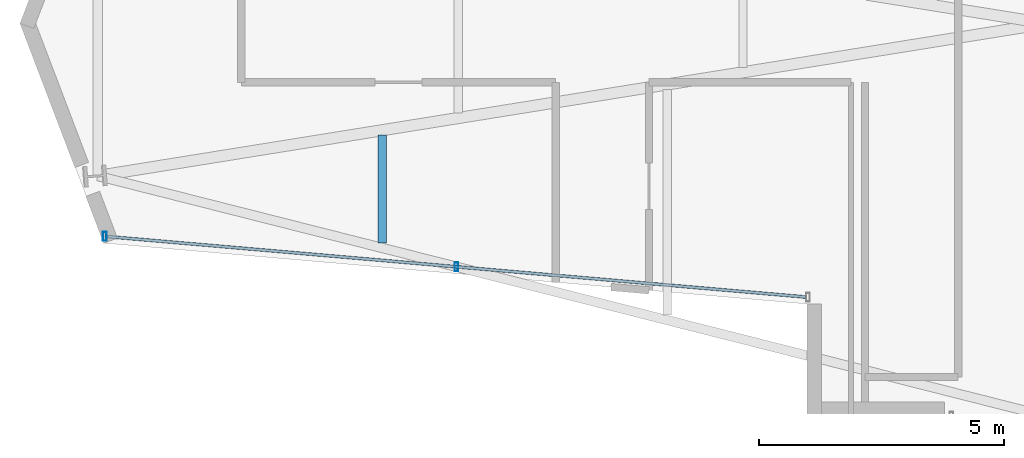
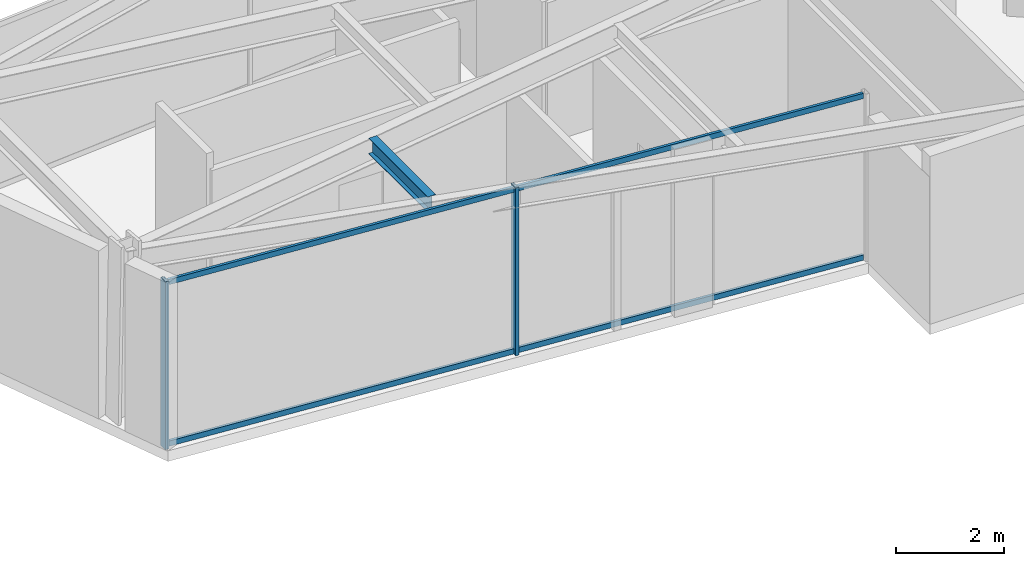
# One storey, part 2 of 23: 4 members, 1 beam, 1 element without a shape of its own.
"""IFC4 building model written with IfcOpenShell, lengths in metres."""

from ifc_helpers import new_model, si_unit, direction, frame, origin, origin_2d, place, context, subcontext, project, spatial, hollow_rectangle, i_section, extrude, material, layer, layer_set, material_profile, profile_set, type_object, element, aggregate, save


model = new_model("IFC4")

# Units and contexts
model_context = context("Model", 3, precision=1e-05, world=origin(), true_north=direction((0.0, 1.0)))
body_context = subcontext(model_context, "Body", "Model", "MODEL_VIEW")
ifc_project = project(units=[si_unit("LENGTHUNIT", "METRE"), si_unit("AREAUNIT", "SQUARE_METRE"), si_unit("VOLUMEUNIT", "CUBIC_METRE"), si_unit("PLANEANGLEUNIT", "RADIAN"), si_unit("MASSUNIT", "GRAM", prefix="KILO")], contexts=[model_context])

# Site, building, storey
site_placement = place(None, origin())
site = spatial("IfcSite", under=ifc_project, at=site_placement, CompositionType="ELEMENT")
building_placement = place(site_placement, origin())
building = spatial("IfcBuilding", under=site, at=building_placement, Name="Veymaron Broadcast Tower", CompositionType="ELEMENT")
storey_placement = place(building_placement, frame((0.0, 0.0, 161.39990234375)))
storey = spatial("IfcBuildingStorey", under=building, at=storey_placement, Name="L37", CompositionType="ELEMENT", Elevation=161.39990234375)

# Beam
ifc_material_1 = material(Name="Structural steel ASTM A992 Gr 50", Category="steel")
ifc_material_profile_1 = material_profile(ifc_material_1, i_section(OverallWidth=0.1708984375, OverallDepth=0.35498046875, WebThickness=0.007080078125, FlangeThickness=0.01171875, at=origin_2d()), Name="W360X51")
ifc_profile_set_1 = profile_set([ifc_material_profile_1], Name="Structural steel ASTM A992 Gr 50")
beam_type = type_object("IfcBeamType", Name="BM-JS2", PredefinedType="JOIST", material=ifc_profile_set_1)
beam_placement = place(storey_placement, frame((17.669677734375, 19.526611328125, 3.632568359375), z_axis=(0.0, 1.0, 0.0), x_axis=(-1.0, 0.0, 0.0)))
element("IfcBeam", 1, at=beam_placement, inside=storey, type_object=beam_type, Name="L37 Arm-A secondary joist 1S", PredefinedType="JOIST", context=body_context, shape_type="SweptSolid", body=[
    extrude(i_section(OverallWidth=0.1708984375, OverallDepth=0.35498046875, WebThickness=0.007080078125, FlangeThickness=0.01171875, at=origin_2d()), origin(), (0.0, 0.0, 1.0), 2.199951171875),
])

# Curtain wall, members
ifc_material_2 = material(Name="Anodised aluminium AA 6063-T6 and laminated low-E dark glass", Category="aluminium")
ifc_layer = layer(ifc_material_2, 0.179931640625)
ifc_layer_set = layer_set([ifc_layer], Name="Anodised aluminium AA 6063-T6 and laminated low-E dark glass")
curtain_wall_type = type_object("IfcCurtainWallType", Name="CW-SYS-03", PredefinedType="NOTDEFINED", material=ifc_layer_set)
curtain_wall_placement = place(storey_placement, origin())
curtain_wall = element("IfcCurtainWall", 2, at=curtain_wall_placement, inside=storey, type_object=curtain_wall_type, Name="L37 dark-glass curtain wall CW-L37-E14-1", PredefinedType="NOTDEFINED")
ifc_material_3 = material(Name="Anodised aluminium AA 6063-T6", Category="aluminium")
ifc_material_profile_2 = material_profile(ifc_material_3, hollow_rectangle(XDim=0.074951171875, YDim=0.179931640625, WallThickness=0.0048828125, at=origin_2d()), Name="AL180X75X5")
ifc_profile_set_2 = profile_set([ifc_material_profile_2], Name="Anodised aluminium AA 6063-T6")
member_type_1 = type_object("IfcMemberType", Name="CW-MUL-02", PredefinedType="MULLION", material=ifc_profile_set_2)
member_1_placement = place(storey_placement, frame((12.01220703125, 19.6640625, 0.0), z_axis=(0.0, 0.0, 1.0), x_axis=(1.0, 0.0, 0.0)))
member_1 = element("IfcMember", 3, at=member_1_placement, type_object=member_type_1, Name="CW-L37-E14-1 mullion 0", PredefinedType="MULLION", context=body_context, shape_type="SweptSolid", body=[
    extrude(hollow_rectangle(XDim=0.074951171875, YDim=0.179931640625, WallThickness=0.0048828125, at=origin_2d()), origin(), (0.0, 0.0, 1.0), 3.81005859375),
])
member_2_placement = place(storey_placement, frame((19.176025390625, 19.0439453125, 0.0), z_axis=(0.0, 0.0, 1.0), x_axis=(1.0, 0.0, 0.0)))
member_2 = element("IfcMember", 4, at=member_2_placement, type_object=member_type_1, Name="CW-L37-E14-1 mullion 1", PredefinedType="MULLION", context=body_context, shape_type="SweptSolid", body=[
    extrude(hollow_rectangle(XDim=0.074951171875, YDim=0.179931640625, WallThickness=0.0048828125, at=origin_2d()), origin(), (0.0, 0.0, 1.0), 3.81005859375),
])
ifc_material_profile_3 = material_profile(ifc_material_3, hollow_rectangle(XDim=0.06005859375, YDim=0.1201171875, WallThickness=0.00390625, at=origin_2d()), Name="AL120X60X4")
ifc_profile_set_3 = profile_set([ifc_material_profile_3], Name="Anodised aluminium AA 6063-T6")
member_type_2 = type_object("IfcMemberType", Name="CW-TRN-02", PredefinedType="USERDEFINED", material=ifc_profile_set_3)
member_3_placement = place(storey_placement, frame((12.06201171875, 19.659912109375, 0.070068359375), z_axis=(0.996274061845, -0.086243803806, 0.0), x_axis=(0.086243803806, 0.996274061845, 0.0)))
member_3 = element("IfcMember", 5, at=member_3_placement, type_object=member_type_2, Name="CW-L37-E14-1 transom B", ObjectType="TRANSOM", PredefinedType="USERDEFINED", context=body_context, shape_type="SweptSolid", body=[
    extrude(hollow_rectangle(XDim=0.06005859375, YDim=0.1201171875, WallThickness=0.00390625, at=origin_2d()), origin(), (0.0, 0.0, 1.0), 14.281494140625),
])
member_4_placement = place(storey_placement, frame((12.06201171875, 19.659912109375, 3.739990234375), z_axis=(0.996274061845, -0.086243803806, 0.0), x_axis=(0.086243803806, 0.996274061845, 0.0)))
member_4 = element("IfcMember", 6, at=member_4_placement, type_object=member_type_2, Name="CW-L37-E14-1 transom T", ObjectType="TRANSOM", PredefinedType="USERDEFINED", context=body_context, shape_type="SweptSolid", body=[
    extrude(hollow_rectangle(XDim=0.06005859375, YDim=0.1201171875, WallThickness=0.00390625, at=origin_2d()), origin(), (0.0, 0.0, 1.0), 14.281494140625),
])
aggregate(curtain_wall, [member_1, member_2, member_3, member_4])

save(model, "model.ifc")
